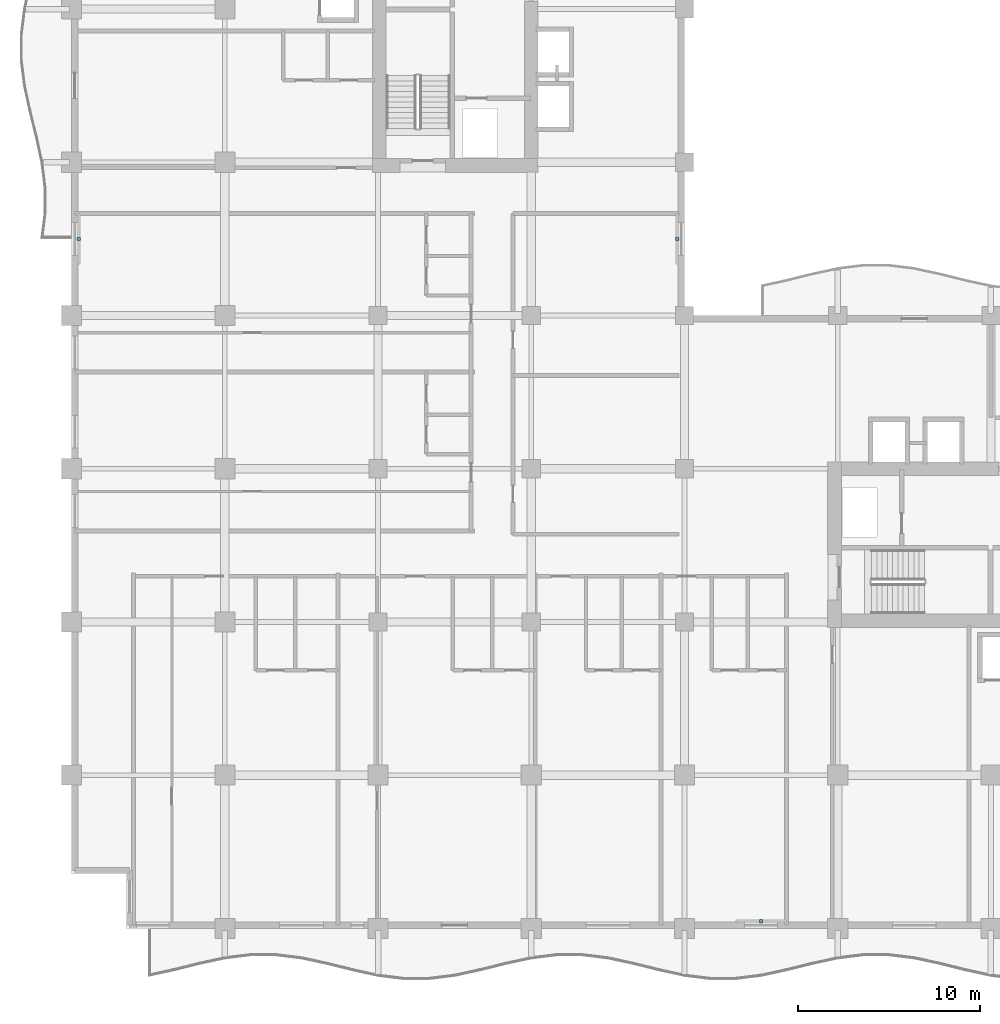
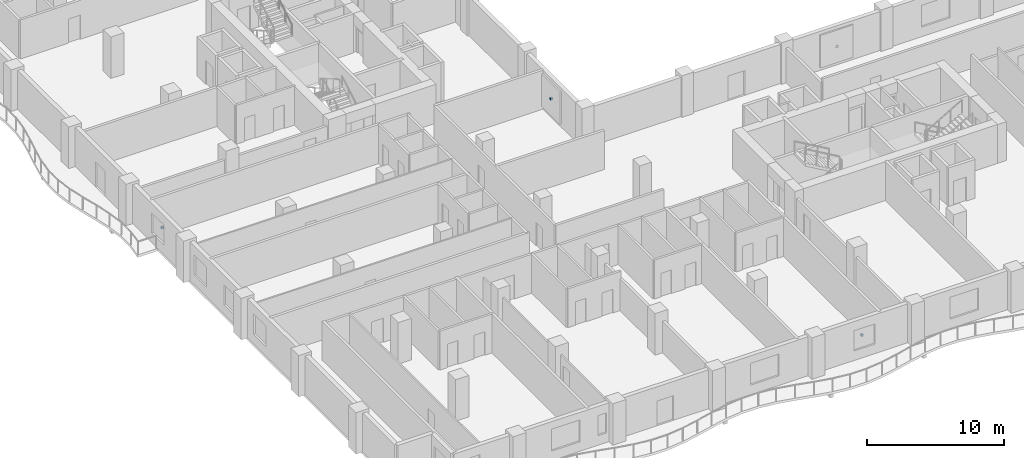
# One storey, part 11 of 16: 3 discrete accessories.
"""IFC4 building model written with IfcOpenShell, lengths in metres."""

import ifcopenshell
import ifcopenshell.guid

model = None  # the IFC model being written
_history = None  # IfcOwnerHistory: only IFC2X3 demands one
_inside = {}  # id of a spatial element -> (the spatial element, [elements in it])
_under = {}  # id of a project, library or spatial element -> (it, [spatial elements below it])
_declared = {}  # id of a project -> (the project, [libraries it declares])
_typed = {}  # id of a type object -> (the type object, [elements of that type])
_made_of = {}  # id of a material, layer set ... -> (it, [elements and type objects made of it])


def new_model(schema):
    """Start an empty IFC model of exactly this schema.

    Asked for "IFC4X3", IfcOpenShell would pick the latest addendum, in which some entities
    have other attributes; the version numbers below select the first issue.
    IFC2X3 requires an IfcOwnerHistory on every rooted entity: one is made here for all.
    """
    global model, _history
    if schema == "IFC4X3":
        model = ifcopenshell.file(schema_version=(4, 3, 0, 0))
    else:
        model = ifcopenshell.file(schema=schema)
    _inside.clear()
    _under.clear()
    _declared.clear()
    _typed.clear()
    _made_of.clear()
    _history = None
    if model.schema == "IFC2X3":
        org = make("IfcOrganization", Name="unknown")
        user = make(
            "IfcPersonAndOrganization",
            ThePerson=make("IfcPerson", FamilyName="unknown"),
            TheOrganization=org,
        )
        app = make(
            "IfcApplication",
            ApplicationDeveloper=org,
            Version="unknown",
            ApplicationFullName="unknown",
            ApplicationIdentifier="unknown",
        )
        _history = make(
            "IfcOwnerHistory",
            OwningUser=user,
            OwningApplication=app,
            ChangeAction="ADDED",
            CreationDate=0,
        )
    return model


def make(cls, **values):
    """One entity of the class cls with the attributes given. An attribute that is None is left unset."""
    return model.create_entity(
        cls, **{name: value for name, value in values.items() if value is not None}
    )


def rooted(cls, **values):
    """An entity with a GlobalId (a new one), such as an element, a storey or a relation."""
    return make(cls, GlobalId=ifcopenshell.guid.new(), OwnerHistory=_history, **values)


def si_unit(unit_type, name, prefix=None):
    """IfcSIUnit, for example si_unit("LENGTHUNIT", "METRE", prefix="MILLI")."""
    return make("IfcSIUnit", UnitType=unit_type, Prefix=prefix, Name=name)


def assignment(units):
    """IfcUnitAssignment: the units of a project."""
    return None if units is None else make("IfcUnitAssignment", Units=units)


def point(xyz):
    """IfcCartesianPoint."""
    return None if xyz is None else make("IfcCartesianPoint", Coordinates=xyz)


def direction(xyz):
    """IfcDirection."""
    return None if xyz is None else make("IfcDirection", DirectionRatios=xyz)


def frame(location, z_axis=None, x_axis=None):
    """IfcAxis2Placement3D, a coordinate frame: its origin and axes. An axis left out is left unset."""
    return make(
        "IfcAxis2Placement3D",
        Location=point(location),
        Axis=direction(z_axis),
        RefDirection=direction(x_axis),
    )


def frame_2d(location, x_axis=None):
    """IfcAxis2Placement2D, a coordinate frame in the plane: its origin and x axis."""
    return make(
        "IfcAxis2Placement2D", Location=point(location), RefDirection=direction(x_axis)
    )


def origin():
    """The frame at (0, 0, 0) with its axes left unset."""
    return frame((0.0, 0.0, 0.0))


def origin_2d():
    """The frame at (0, 0) in the plane with its x axis left unset."""
    return frame_2d((0.0, 0.0))


def place(relative_to, where):
    """IfcLocalPlacement: puts the frame where relative to a parent placement (None: the world)."""
    return make(
        "IfcLocalPlacement", PlacementRelTo=relative_to, RelativePlacement=where
    )


def context(
    kind, dimensions, precision=None, world=None, true_north=None, identifier=None
):
    """IfcGeometricRepresentationContext, for example the 3D "Model" context."""
    return make(
        "IfcGeometricRepresentationContext",
        ContextIdentifier=identifier,
        ContextType=kind,
        CoordinateSpaceDimension=dimensions,
        Precision=precision,
        WorldCoordinateSystem=world,
        TrueNorth=true_north,
    )


def subcontext(parent, identifier, kind, view, scale=None):
    """IfcGeometricRepresentationSubContext, for example "Body" below "Model"."""
    return make(
        "IfcGeometricRepresentationSubContext",
        ContextIdentifier=identifier,
        ContextType=kind,
        ParentContext=parent,
        TargetScale=scale,
        TargetView=view,
    )


def project(units=None, contexts=None):
    """IfcProject with its units and contexts."""
    return rooted(
        "IfcProject",
        Name="project",
        RepresentationContexts=contexts,
        UnitsInContext=assignment(units),
    )


def spatial(cls, under=None, at=None, **own):
    """A site, building, storey or space (cls), placed at a placement, below another one or the project."""
    s = rooted(cls, ObjectPlacement=at, **own)
    if under is not None:
        _under.setdefault(under.id(), (under, []))[1].append(s)
    return s


def profile(cls, at=None, kind="AREA", **sizes):
    """A parametric profile (cls). Its sizes go by their IFC names, for example OverallWidth=200.0."""
    return make(cls, ProfileType=kind, Position=at, **sizes)


def rectangle(**sizes):
    """IfcRectangleProfileDef."""
    return profile("IfcRectangleProfileDef", **sizes)


def extrude(swept, where, along, depth):
    """IfcExtrudedAreaSolid: the profile swept, set in the frame where, extruded along a direction by depth."""
    return make(
        "IfcExtrudedAreaSolid",
        SweptArea=swept,
        Position=where,
        ExtrudedDirection=direction(along),
        Depth=depth,
    )


def shape(context_of_items, identifier, shape_type, items):
    """IfcShapeRepresentation: the items that make up one representation, for example the "Body"."""
    return make(
        "IfcShapeRepresentation",
        ContextOfItems=context_of_items,
        RepresentationIdentifier=identifier,
        RepresentationType=shape_type,
        Items=items,
    )


def material(Name=None, Category=None):
    """IfcMaterial."""
    return make("IfcMaterial", Name=Name, Category=Category)


def made_of(thing, what):
    """Note that an element or type object is made of a material, layer set ...; save() writes the relation."""
    if what is not None:
        _made_of.setdefault(what.id(), (what, []))[1].append(thing)
    return thing


def type_object(cls, material=None, **own):
    """A type object (cls), such as IfcWallType, which elements share."""
    return made_of(rooted(cls, **own), material)


def element(
    cls,
    number,
    at=None,
    inside=None,
    cuts=None,
    type_object=None,
    material=None,
    context=None,
    identifier="Body",
    shape_type=None,
    held_by="IfcProductDefinitionShape",
    body=None,
    shapes=None,
    **own,
):
    """One element of the class cls, such as IfcWall. Its Tag is "e" and its number.

    at: its placement. inside: the storey or other place that contains it. cuts: it is an
    opening in that element (IfcRelVoidsElement). A single representation is given by context,
    identifier, shape_type and body (its items); several are given by shapes. held_by: the class
    of the entity that holds the representations. save() writes the other relations.
    """
    e = rooted(cls, Tag="e%d" % number, ObjectPlacement=at, **own)
    if body is not None:
        shapes = [shape(context, identifier, shape_type, body)]
    if shapes is not None:
        e.Representation = make(held_by, Representations=shapes)
    if inside is not None:
        _inside.setdefault(inside.id(), (inside, []))[1].append(e)
    if cuts is not None:
        rooted(
            "IfcRelVoidsElement", RelatingBuildingElement=cuts, RelatedOpeningElement=e
        )
    if type_object is not None:
        _typed.setdefault(type_object.id(), (type_object, []))[1].append(e)
    return made_of(e, material)


def aggregate(whole, parts):
    """IfcRelAggregates: a whole, such as a stair, and the parts it consists of."""
    return rooted("IfcRelAggregates", RelatingObject=whole, RelatedObjects=parts)


def save(model, path):
    """Write the relations noted so far, then the file.

    IfcRelAggregates (storeys below a building ...), IfcRelContainedInSpatialStructure (elements
    in a storey), IfcRelDefinesByType, IfcRelAssociatesMaterial and IfcRelDeclares: one each for
    every whole, place, type object, material and project.
    """
    for whole, parts in _under.values():
        aggregate(whole, parts)
    for where, things in _inside.values():
        rooted(
            "IfcRelContainedInSpatialStructure",
            RelatedElements=things,
            RelatingStructure=where,
        )
    for kind, things in _typed.values():
        rooted("IfcRelDefinesByType", RelatedObjects=things, RelatingType=kind)
    for what, things in _made_of.values():
        rooted("IfcRelAssociatesMaterial", RelatedObjects=things, RelatingMaterial=what)
    for by, libraries in _declared.values():
        rooted("IfcRelDeclares", RelatingContext=by, RelatedDefinitions=libraries)
    model.write(path)


model = new_model("IFC4")

# Units and contexts
model_context = context("Model", 3, precision=1e-05, world=origin(), true_north=direction((0.0, 1.0)))
body_context = subcontext(model_context, "Body", "Model", "MODEL_VIEW")
ifc_project = project(units=[si_unit("LENGTHUNIT", "METRE"), si_unit("AREAUNIT", "SQUARE_METRE"), si_unit("VOLUMEUNIT", "CUBIC_METRE"), si_unit("PLANEANGLEUNIT", "RADIAN"), si_unit("MASSUNIT", "GRAM", prefix="KILO")], contexts=[model_context])

# Site, building, storey
site_placement = place(None, origin())
site = spatial("IfcSite", under=ifc_project, at=site_placement, CompositionType="ELEMENT")
building_placement = place(site_placement, origin())
building = spatial("IfcBuilding", under=site, at=building_placement, Name="Koriwani Terraces Tower", CompositionType="ELEMENT")
storey_placement = place(building_placement, frame((0.0, 0.0, 186.5)))
storey = spatial("IfcBuildingStorey", under=building, at=storey_placement, Name="L45", CompositionType="ELEMENT", Elevation=186.5)

# Discrete accessories
ifc_material = material(Name="Steel ASTM A572 Grade 50", Category="steel")
discrete_accessory_type = type_object("IfcDiscreteAccessoryType", Name="BAGUETTE_STANDOFF_BRACKET", PredefinedType="BRACKET", material=ifc_material)
for number, where, z_axis, x_axis, name in (
    (1, (0.389892578125, 37.800048828125, 1.64501953125), (0.0, 0.0, 1.0), (0.0, 1.0, 0.0), "L45 Terracotta Baguette Bracket (W-12)"),
    (2, (33.2099609375, 37.800048828125, 1.64501953125), (0.0, 0.0, 1.0), (0.0, -1.0, 0.0), "L45 Terracotta Baguette Bracket (NW_IN-2)"),
    (3, (37.800048828125, 0.389892578125, 1.64501953125), (0.0, 0.0, 1.0), (-1.0, 0.0, 0.0), "L45 Terracotta Baguette Bracket (S-12)"),
):
    element("IfcDiscreteAccessory", number, at=place(storey_placement, frame(where, z_axis=z_axis, x_axis=x_axis)), inside=storey, type_object=discrete_accessory_type, Name=name, PredefinedType="BRACKET", context=body_context, shape_type="SweptSolid", body=[
        extrude(rectangle(XDim=0.159912109375, YDim=0.199951171875, at=origin_2d()), origin(), (0.0, 0.0, 1.0), 0.179931640625),
    ])

save(model, "model.ifc")
